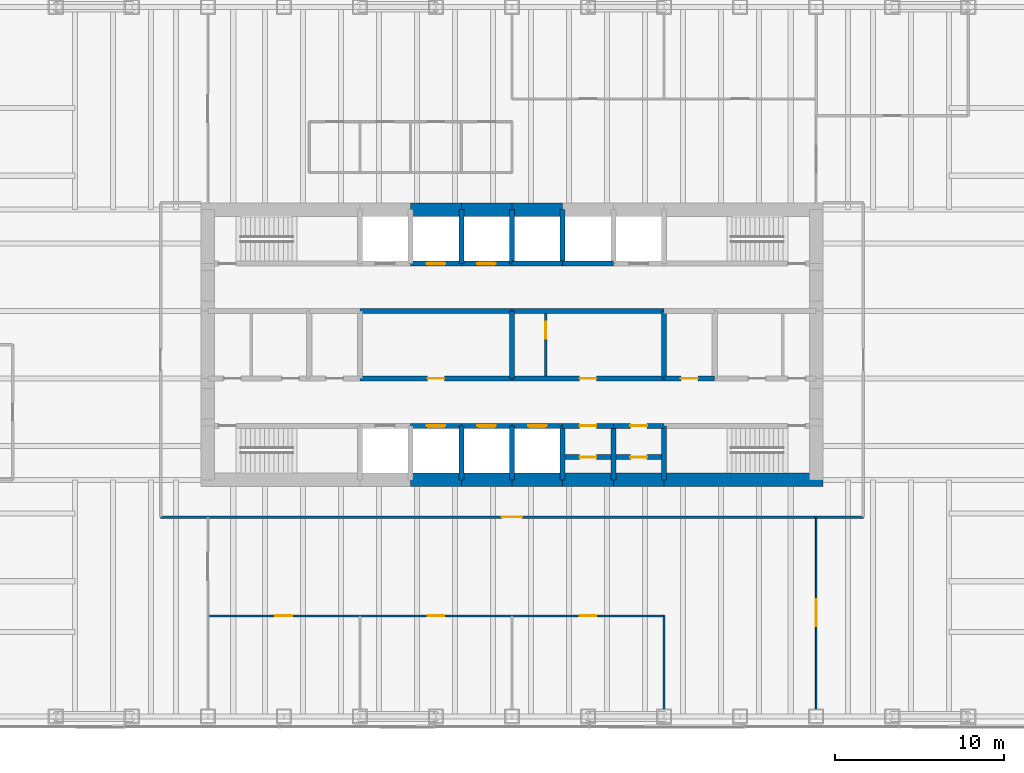
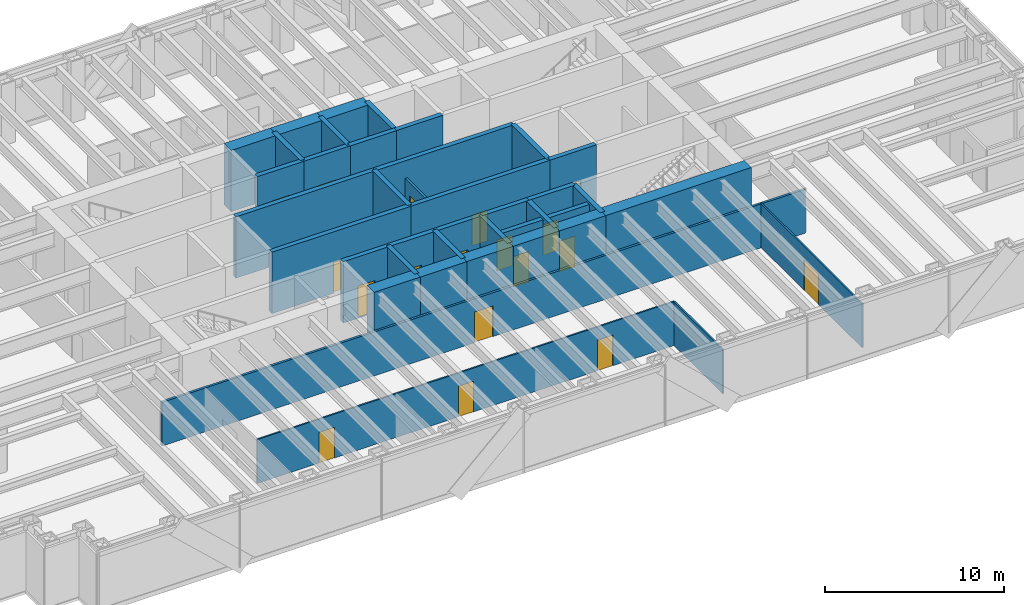
# One storey, part 16 of 19: 40 walls, 18 doors, 18 openings.
"""IFC4 building model written with IfcOpenShell, lengths in metres."""

from ifc_helpers import new_model, si_unit, direction, frame, frame_2d, origin, place, context, subcontext, project, spatial, rectangle, extrude, material, layer, layer_set, type_object, element, fill, save


model = new_model("IFC4")

# Units and contexts
model_context = context("Model", 3, precision=1e-05, world=origin(), true_north=direction((0.0, 1.0)))
body_context = subcontext(model_context, "Body", "Model", "MODEL_VIEW")
ifc_project = project(units=[si_unit("LENGTHUNIT", "METRE"), si_unit("AREAUNIT", "SQUARE_METRE"), si_unit("VOLUMEUNIT", "CUBIC_METRE"), si_unit("PLANEANGLEUNIT", "RADIAN"), si_unit("MASSUNIT", "GRAM", prefix="KILO")], contexts=[model_context])

# Site, building, storey
site_placement = place(None, origin())
site = spatial("IfcSite", under=ifc_project, at=site_placement, CompositionType="ELEMENT")
building_placement = place(site_placement, origin())
building = spatial("IfcBuilding", under=site, at=building_placement, Name="Rheinbord Bourse Tower", CompositionType="ELEMENT")
storey_placement = place(building_placement, frame((0.0, 0.0, 206.800048828125)))
storey = spatial("IfcBuildingStorey", under=building, at=storey_placement, Name="L46", CompositionType="ELEMENT", Elevation=206.800048828125)

# Wall, opening, door
ifc_material_1 = material(Name="Concrete C50/60", Category="concrete")
ifc_layer_1 = layer(ifc_material_1, 0.300048828125)
ifc_layer_set_1 = layer_set([ifc_layer_1], Name="CORE INNER WALL 300")
wall_type_1 = type_object("IfcWallType", Name="CORE INNER WALL 300", PredefinedType="SOLIDWALL", material=ifc_layer_set_1)
wall_1_placement = place(storey_placement, frame((30.0, 19.199951171875, 0.0), z_axis=(0.0, 0.0, 1.0), x_axis=(1.0, 0.0, 0.0)))
wall_1 = element("IfcWall", 1, at=wall_1_placement, inside=storey, type_object=wall_type_1, Name="Core wall A3 L46", PredefinedType="SOLIDWALL", context=body_context, shape_type="SweptSolid", body=[
    extrude(rectangle(XDim=3.0, YDim=0.300048828125, at=frame_2d((1.5, 0.0))), origin(), (0.0, 0.0, 1.0), 4.199951171875),
])
opening_1_placement = place(wall_1_placement, frame((0.949951171875, 0.0, 0.0)))
opening_1 = element("IfcOpeningElement", 2, at=opening_1_placement, cuts=wall_1, Name="Opening PC1", PredefinedType="OPENING", context=body_context, shape_type="SweptSolid", body=[
    extrude(rectangle(XDim=1.10009765625, YDim=2.199951171875, at=frame_2d((0.550048828125, 1.10009765625))), frame((0.0, 0.159912109375, 0.0), z_axis=(0.0, -1.0, 0.0), x_axis=(1.0, 0.0, 0.0)), (0.0, 0.0, 1.0), 0.320068359375),
])
ifc_material_2 = material(Name="Steel landing door", Category="steel")
door_type_1 = type_object("IfcDoorType", Name="LIFT LANDING DOOR 1100", OperationType="DOUBLE_DOOR_SLIDING", PredefinedType="USERDEFINED", material=ifc_material_2)
door_1_placement = place(opening_1_placement, origin())
door_1 = element("IfcDoor", 3, at=door_1_placement, inside=storey, type_object=door_type_1, Name="Lift landing door PC1 L46", ObjectType="LIFT LANDING DOOR", OperationType="DOUBLE_DOOR_SLIDING", OverallHeight=2.199951171875, OverallWidth=1.10009765625, PredefinedType="USERDEFINED", context=body_context, shape_type="SweptSolid", body=[
    extrude(rectangle(XDim=1.10009765625, YDim=2.199951171875, at=frame_2d((0.550048828125, 1.10009765625))), frame((0.0, 0.02490234375, 0.0), z_axis=(0.0, -1.0, 0.0), x_axis=(1.0, 0.0, 0.0)), (0.0, 0.0, 1.0), 0.050048828125),
])
fill(opening_1, door_1)

wall_2_placement = place(storey_placement, frame((33.0, 19.199951171875, 0.0), z_axis=(0.0, 0.0, 1.0), x_axis=(1.0, 0.0, 0.0)))
wall_2 = element("IfcWall", 4, at=wall_2_placement, inside=storey, type_object=wall_type_1, Name="Core wall A4 L46", PredefinedType="SOLIDWALL", context=body_context, shape_type="SweptSolid", body=[
    extrude(rectangle(XDim=3.0, YDim=0.300048828125, at=frame_2d((1.5, 0.0))), origin(), (0.0, 0.0, 1.0), 4.199951171875),
])
opening_2_placement = place(wall_2_placement, frame((0.949951171875, 0.0, 0.0)))
opening_2 = element("IfcOpeningElement", 5, at=opening_2_placement, cuts=wall_2, Name="Opening PC2", PredefinedType="OPENING", context=body_context, shape_type="SweptSolid", body=[
    extrude(rectangle(XDim=1.10009765625, YDim=2.199951171875, at=frame_2d((0.550048828125, 1.10009765625))), frame((0.0, 0.159912109375, 0.0), z_axis=(0.0, -1.0, 0.0), x_axis=(1.0, 0.0, 0.0)), (0.0, 0.0, 1.0), 0.320068359375),
])
door_2_placement = place(opening_2_placement, origin())
door_2 = element("IfcDoor", 6, at=door_2_placement, inside=storey, type_object=door_type_1, Name="Lift landing door PC2 L46", ObjectType="LIFT LANDING DOOR", OperationType="DOUBLE_DOOR_SLIDING", OverallHeight=2.199951171875, OverallWidth=1.10009765625, PredefinedType="USERDEFINED", context=body_context, shape_type="SweptSolid", body=[
    extrude(rectangle(XDim=1.10009765625, YDim=2.199951171875, at=frame_2d((0.550048828125, 1.10009765625))), frame((0.0, 0.02490234375, 0.0), z_axis=(0.0, -1.0, 0.0), x_axis=(1.0, 0.0, 0.0)), (0.0, 0.0, 1.0), 0.050048828125),
])
fill(opening_2, door_2)

wall_3_placement = place(storey_placement, frame((36.0, 19.199951171875, 0.0), z_axis=(0.0, 0.0, 1.0), x_axis=(1.0, 0.0, 0.0)))
wall_3 = element("IfcWall", 7, at=wall_3_placement, inside=storey, type_object=wall_type_1, Name="Core wall A5 L46", PredefinedType="SOLIDWALL", context=body_context, shape_type="SweptSolid", body=[
    extrude(rectangle(XDim=3.0, YDim=0.300048828125, at=frame_2d((1.5, 0.0))), origin(), (0.0, 0.0, 1.0), 4.199951171875),
])
opening_3_placement = place(wall_3_placement, frame((0.949951171875, 0.0, 0.0)))
opening_3 = element("IfcOpeningElement", 8, at=opening_3_placement, cuts=wall_3, Name="Opening PC3", PredefinedType="OPENING", context=body_context, shape_type="SweptSolid", body=[
    extrude(rectangle(XDim=1.10009765625, YDim=2.199951171875, at=frame_2d((0.550048828125, 1.10009765625))), frame((0.0, 0.159912109375, 0.0), z_axis=(0.0, -1.0, 0.0), x_axis=(1.0, 0.0, 0.0)), (0.0, 0.0, 1.0), 0.320068359375),
])
door_3_placement = place(opening_3_placement, origin())
door_3 = element("IfcDoor", 9, at=door_3_placement, inside=storey, type_object=door_type_1, Name="Lift landing door PC3 L46", ObjectType="LIFT LANDING DOOR", OperationType="DOUBLE_DOOR_SLIDING", OverallHeight=2.199951171875, OverallWidth=1.10009765625, PredefinedType="USERDEFINED", context=body_context, shape_type="SweptSolid", body=[
    extrude(rectangle(XDim=1.10009765625, YDim=2.199951171875, at=frame_2d((0.550048828125, 1.10009765625))), frame((0.0, 0.02490234375, 0.0), z_axis=(0.0, -1.0, 0.0), x_axis=(1.0, 0.0, 0.0)), (0.0, 0.0, 1.0), 0.050048828125),
])
fill(opening_3, door_3)

wall_4_placement = place(storey_placement, frame((39.0, 19.199951171875, 0.0), z_axis=(0.0, 0.0, 1.0), x_axis=(1.0, 0.0, 0.0)))
wall_4 = element("IfcWall", 10, at=wall_4_placement, inside=storey, type_object=wall_type_1, Name="Core wall A6 L46", PredefinedType="SOLIDWALL", context=body_context, shape_type="SweptSolid", body=[
    extrude(rectangle(XDim=3.0, YDim=0.300048828125, at=frame_2d((1.5, 0.0))), origin(), (0.0, 0.0, 1.0), 4.199951171875),
])
opening_4_placement = place(wall_4_placement, frame((1.0, 0.0, 0.0)))
opening_4 = element("IfcOpeningElement", 11, at=opening_4_placement, cuts=wall_4, Name="Opening 46R8", PredefinedType="OPENING", context=body_context, shape_type="SweptSolid", body=[
    extrude(rectangle(XDim=1.0, YDim=2.10009765625, at=frame_2d((0.5, 1.050048828125))), frame((0.0, 0.159912109375, 0.0), z_axis=(0.0, -1.0, 0.0), x_axis=(1.0, 0.0, 0.0)), (0.0, 0.0, 1.0), 0.320068359375),
])
ifc_material_3 = material(Name="Steel door", Category="steel")
door_type_2 = type_object("IfcDoorType", Name="DOOR 1000 EI30", OperationType="SINGLE_SWING_LEFT", PredefinedType="DOOR", material=ifc_material_3)
door_4_placement = place(opening_4_placement, origin())
door_4 = element("IfcDoor", 12, at=door_4_placement, inside=storey, type_object=door_type_2, Name="Supplies store door L46", OperationType="SINGLE_SWING_LEFT", OverallHeight=2.10009765625, OverallWidth=1.0, PredefinedType="DOOR", context=body_context, shape_type="SweptSolid", body=[
    extrude(rectangle(XDim=1.0, YDim=2.10009765625, at=frame_2d((0.5, 1.050048828125))), frame((0.0, 0.02490234375, 0.0), z_axis=(0.0, -1.0, 0.0), x_axis=(1.0, 0.0, 0.0)), (0.0, 0.0, 1.0), 0.050048828125),
])
fill(opening_4, door_4)

wall_5_placement = place(storey_placement, frame((42.0, 19.199951171875, 0.0), z_axis=(0.0, 0.0, 1.0), x_axis=(1.0, 0.0, 0.0)))
wall_5 = element("IfcWall", 13, at=wall_5_placement, inside=storey, type_object=wall_type_1, Name="Core wall A7 L46", PredefinedType="SOLIDWALL", context=body_context, shape_type="SweptSolid", body=[
    extrude(rectangle(XDim=3.0, YDim=0.300048828125, at=frame_2d((1.5, 0.0))), origin(), (0.0, 0.0, 1.0), 4.199951171875),
])
opening_5_placement = place(wall_5_placement, frame((1.0, 0.0, 0.0)))
opening_5 = element("IfcOpeningElement", 14, at=opening_5_placement, cuts=wall_5, Name="Opening 46R9", PredefinedType="OPENING", context=body_context, shape_type="SweptSolid", body=[
    extrude(rectangle(XDim=1.0, YDim=2.10009765625, at=frame_2d((0.5, 1.050048828125))), frame((0.0, 0.159912109375, 0.0), z_axis=(0.0, -1.0, 0.0), x_axis=(1.0, 0.0, 0.0)), (0.0, 0.0, 1.0), 0.320068359375),
])
door_5_placement = place(opening_5_placement, origin())
door_5 = element("IfcDoor", 15, at=door_5_placement, inside=storey, type_object=door_type_2, Name="IT room door L46", OperationType="SINGLE_SWING_LEFT", OverallHeight=2.10009765625, OverallWidth=1.0, PredefinedType="DOOR", context=body_context, shape_type="SweptSolid", body=[
    extrude(rectangle(XDim=1.0, YDim=2.10009765625, at=frame_2d((0.5, 1.050048828125))), frame((0.0, 0.02490234375, 0.0), z_axis=(0.0, -1.0, 0.0), x_axis=(1.0, 0.0, 0.0)), (0.0, 0.0, 1.0), 0.050048828125),
])
fill(opening_5, door_5)

wall_6_placement = place(storey_placement, frame((30.0, 28.800048828125, 0.0), z_axis=(0.0, 0.0, 1.0), x_axis=(1.0, 0.0, 0.0)))
wall_6 = element("IfcWall", 16, at=wall_6_placement, inside=storey, type_object=wall_type_1, Name="Core wall B3 L46", PredefinedType="SOLIDWALL", context=body_context, shape_type="SweptSolid", body=[
    extrude(rectangle(XDim=3.0, YDim=0.300048828125, at=frame_2d((1.5, 0.0))), origin(), (0.0, 0.0, 1.0), 4.199951171875),
])
opening_6_placement = place(wall_6_placement, frame((0.949951171875, 0.0, 0.0)))
opening_6 = element("IfcOpeningElement", 17, at=opening_6_placement, cuts=wall_6, Name="Opening PC4", PredefinedType="OPENING", context=body_context, shape_type="SweptSolid", body=[
    extrude(rectangle(XDim=1.10009765625, YDim=2.199951171875, at=frame_2d((0.550048828125, 1.10009765625))), frame((0.0, 0.159912109375, 0.0), z_axis=(0.0, -1.0, 0.0), x_axis=(1.0, 0.0, 0.0)), (0.0, 0.0, 1.0), 0.320068359375),
])
door_6_placement = place(opening_6_placement, origin())
door_6 = element("IfcDoor", 18, at=door_6_placement, inside=storey, type_object=door_type_1, Name="Lift landing door PC4 L46", ObjectType="LIFT LANDING DOOR", OperationType="DOUBLE_DOOR_SLIDING", OverallHeight=2.199951171875, OverallWidth=1.10009765625, PredefinedType="USERDEFINED", context=body_context, shape_type="SweptSolid", body=[
    extrude(rectangle(XDim=1.10009765625, YDim=2.199951171875, at=frame_2d((0.550048828125, 1.10009765625))), frame((0.0, 0.02490234375, 0.0), z_axis=(0.0, -1.0, 0.0), x_axis=(1.0, 0.0, 0.0)), (0.0, 0.0, 1.0), 0.050048828125),
])
fill(opening_6, door_6)

wall_7_placement = place(storey_placement, frame((33.0, 28.800048828125, 0.0), z_axis=(0.0, 0.0, 1.0), x_axis=(1.0, 0.0, 0.0)))
wall_7 = element("IfcWall", 19, at=wall_7_placement, inside=storey, type_object=wall_type_1, Name="Core wall B4 L46", PredefinedType="SOLIDWALL", context=body_context, shape_type="SweptSolid", body=[
    extrude(rectangle(XDim=3.0, YDim=0.300048828125, at=frame_2d((1.5, 0.0))), origin(), (0.0, 0.0, 1.0), 4.199951171875),
])
opening_7_placement = place(wall_7_placement, frame((0.949951171875, 0.0, 0.0)))
opening_7 = element("IfcOpeningElement", 20, at=opening_7_placement, cuts=wall_7, Name="Opening PC5", PredefinedType="OPENING", context=body_context, shape_type="SweptSolid", body=[
    extrude(rectangle(XDim=1.10009765625, YDim=2.199951171875, at=frame_2d((0.550048828125, 1.10009765625))), frame((0.0, 0.159912109375, 0.0), z_axis=(0.0, -1.0, 0.0), x_axis=(1.0, 0.0, 0.0)), (0.0, 0.0, 1.0), 0.320068359375),
])
door_7_placement = place(opening_7_placement, origin())
door_7 = element("IfcDoor", 21, at=door_7_placement, inside=storey, type_object=door_type_1, Name="Lift landing door PC5 L46", ObjectType="LIFT LANDING DOOR", OperationType="DOUBLE_DOOR_SLIDING", OverallHeight=2.199951171875, OverallWidth=1.10009765625, PredefinedType="USERDEFINED", context=body_context, shape_type="SweptSolid", body=[
    extrude(rectangle(XDim=1.10009765625, YDim=2.199951171875, at=frame_2d((0.550048828125, 1.10009765625))), frame((0.0, 0.02490234375, 0.0), z_axis=(0.0, -1.0, 0.0), x_axis=(1.0, 0.0, 0.0)), (0.0, 0.0, 1.0), 0.050048828125),
])
fill(opening_7, door_7)

# Walls
for number, where, z_axis, x_axis, name in (
    (22, (36.0, 28.800048828125, 0.0), (0.0, 0.0, 1.0), (1.0, 0.0, 0.0), "Core wall B5 L46"),
    (23, (39.0, 28.800048828125, 0.0), (0.0, 0.0, 1.0), (1.0, 0.0, 0.0), "Core wall B6 L46"),
):
    element("IfcWall", number, at=place(storey_placement, frame(where, z_axis=z_axis, x_axis=x_axis)), inside=storey, type_object=wall_type_1, Name=name, PredefinedType="SOLIDWALL", context=body_context, shape_type="SweptSolid", body=[
        extrude(rectangle(XDim=3.0, YDim=0.300048828125, at=frame_2d((1.5, 0.0))), origin(), (0.0, 0.0, 1.0), 4.199951171875),
    ])

# Wall, opening, door
wall_8_placement = place(storey_placement, frame((27.0, 22.0, 0.0), z_axis=(0.0, 0.0, 1.0), x_axis=(1.0, 0.0, 0.0)))
wall_8 = element("IfcWall", 24, at=wall_8_placement, inside=storey, type_object=wall_type_1, Name="Core wall C3 L46", PredefinedType="SOLIDWALL", context=body_context, shape_type="SweptSolid", body=[
    extrude(rectangle(XDim=9.0, YDim=0.300048828125, at=frame_2d((4.5, 0.0))), origin(), (0.0, 0.0, 1.0), 4.199951171875),
])
opening_8_placement = place(wall_8_placement, frame((4.0, 0.0, 0.0)))
opening_8 = element("IfcOpeningElement", 25, at=opening_8_placement, cuts=wall_8, Name="Opening 46R3", PredefinedType="OPENING", context=body_context, shape_type="SweptSolid", body=[
    extrude(rectangle(XDim=1.0, YDim=2.10009765625, at=frame_2d((0.5, 1.050048828125))), frame((0.0, 0.159912109375, 0.0), z_axis=(0.0, -1.0, 0.0), x_axis=(1.0, 0.0, 0.0)), (0.0, 0.0, 1.0), 0.320068359375),
])
door_8_placement = place(opening_8_placement, origin())
door_8 = element("IfcDoor", 26, at=door_8_placement, inside=storey, type_object=door_type_2, Name="Riser door L46", OperationType="SINGLE_SWING_LEFT", OverallHeight=2.10009765625, OverallWidth=1.0, PredefinedType="DOOR", context=body_context, shape_type="SweptSolid", body=[
    extrude(rectangle(XDim=1.0, YDim=2.10009765625, at=frame_2d((0.5, 1.050048828125))), frame((0.0, 0.02490234375, 0.0), z_axis=(0.0, -1.0, 0.0), x_axis=(1.0, 0.0, 0.0)), (0.0, 0.0, 1.0), 0.050048828125),
])
fill(opening_8, door_8)

wall_9_placement = place(storey_placement, frame((36.0, 22.0, 0.0), z_axis=(0.0, 0.0, 1.0), x_axis=(1.0, 0.0, 0.0)))
wall_9 = element("IfcWall", 27, at=wall_9_placement, inside=storey, type_object=wall_type_1, Name="Core wall C4 L46", PredefinedType="SOLIDWALL", context=body_context, shape_type="SweptSolid", body=[
    extrude(rectangle(XDim=9.0, YDim=0.300048828125, at=frame_2d((4.5, 0.0))), origin(), (0.0, 0.0, 1.0), 4.199951171875),
])
opening_9_placement = place(wall_9_placement, frame((4.0, 0.0, 0.0)))
opening_9 = element("IfcOpeningElement", 28, at=opening_9_placement, cuts=wall_9, Name="Opening 46R4", PredefinedType="OPENING", context=body_context, shape_type="SweptSolid", body=[
    extrude(rectangle(XDim=1.0, YDim=2.10009765625, at=frame_2d((0.5, 1.050048828125))), frame((0.0, 0.159912109375, 0.0), z_axis=(0.0, -1.0, 0.0), x_axis=(1.0, 0.0, 0.0)), (0.0, 0.0, 1.0), 0.320068359375),
])
door_9_placement = place(opening_9_placement, origin())
door_9 = element("IfcDoor", 29, at=door_9_placement, inside=storey, type_object=door_type_2, Name="Staff locker room door L46", OperationType="SINGLE_SWING_LEFT", OverallHeight=2.10009765625, OverallWidth=1.0, PredefinedType="DOOR", context=body_context, shape_type="SweptSolid", body=[
    extrude(rectangle(XDim=1.0, YDim=2.10009765625, at=frame_2d((0.5, 1.050048828125))), frame((0.0, 0.02490234375, 0.0), z_axis=(0.0, -1.0, 0.0), x_axis=(1.0, 0.0, 0.0)), (0.0, 0.0, 1.0), 0.050048828125),
])
fill(opening_9, door_9)

wall_10_placement = place(storey_placement, frame((45.0, 22.0, 0.0), z_axis=(0.0, 0.0, 1.0), x_axis=(1.0, 0.0, 0.0)))
wall_10 = element("IfcWall", 30, at=wall_10_placement, inside=storey, type_object=wall_type_1, Name="Core wall C5 L46", PredefinedType="SOLIDWALL", context=body_context, shape_type="SweptSolid", body=[
    extrude(rectangle(XDim=3.0, YDim=0.300048828125, at=frame_2d((1.5, 0.0))), origin(), (0.0, 0.0, 1.0), 4.199951171875),
])
opening_10_placement = place(wall_10_placement, frame((1.0, 0.0, 0.0)))
opening_10 = element("IfcOpeningElement", 31, at=opening_10_placement, cuts=wall_10, Name="Opening 46R5", PredefinedType="OPENING", context=body_context, shape_type="SweptSolid", body=[
    extrude(rectangle(XDim=1.0, YDim=2.10009765625, at=frame_2d((0.5, 1.050048828125))), frame((0.0, 0.159912109375, 0.0), z_axis=(0.0, -1.0, 0.0), x_axis=(1.0, 0.0, 0.0)), (0.0, 0.0, 1.0), 0.320068359375),
])
ifc_material_4 = material(Name="Timber door", Category="wood")
door_type_3 = type_object("IfcDoorType", Name="DOOR 1000 WC", OperationType="SINGLE_SWING_LEFT", PredefinedType="DOOR", material=ifc_material_4)
door_10_placement = place(opening_10_placement, origin())
door_10 = element("IfcDoor", 32, at=door_10_placement, inside=storey, type_object=door_type_3, Name="Accessible WC door L46", OperationType="SINGLE_SWING_LEFT", OverallHeight=2.10009765625, OverallWidth=1.0, PredefinedType="DOOR", context=body_context, shape_type="SweptSolid", body=[
    extrude(rectangle(XDim=1.0, YDim=2.10009765625, at=frame_2d((0.5, 1.050048828125))), frame((0.0, 0.02490234375, 0.0), z_axis=(0.0, -1.0, 0.0), x_axis=(1.0, 0.0, 0.0)), (0.0, 0.0, 1.0), 0.050048828125),
])
fill(opening_10, door_10)

# Walls
for number, where, z_axis, x_axis, name in (
    (33, (27.0, 26.0, 0.0), (0.0, 0.0, 1.0), (1.0, 0.0, 0.0), "Core wall D3 L46"),
    (34, (36.0, 26.0, 0.0), (0.0, 0.0, 1.0), (1.0, 0.0, 0.0), "Core wall D4 L46"),
):
    element("IfcWall", number, at=place(storey_placement, frame(where, z_axis=z_axis, x_axis=x_axis)), inside=storey, type_object=wall_type_1, Name=name, PredefinedType="SOLIDWALL", context=body_context, shape_type="SweptSolid", body=[
        extrude(rectangle(XDim=9.0, YDim=0.300048828125, at=frame_2d((4.5, 0.0))), origin(), (0.0, 0.0, 1.0), 4.199951171875),
    ])
for number, where, z_axis, x_axis, name in (
    (35, (33.0, 16.0, 0.0), (0.0, 0.0, 1.0), (0.0, 1.0, 0.0), "Core wall SX33 L46"),
    (36, (33.0, 28.800048828125, 0.0), (0.0, 0.0, 1.0), (0.0, 1.0, 0.0), "Core wall NX33 L46"),
    (37, (36.0, 16.0, 0.0), (0.0, 0.0, 1.0), (0.0, 1.0, 0.0), "Core wall SX36 L46"),
    (38, (36.0, 28.800048828125, 0.0), (0.0, 0.0, 1.0), (0.0, 1.0, 0.0), "Core wall NX36 L46"),
    (39, (39.0, 16.0, 0.0), (0.0, 0.0, 1.0), (0.0, 1.0, 0.0), "Core wall SX39 L46"),
    (40, (39.0, 28.800048828125, 0.0), (0.0, 0.0, 1.0), (0.0, 1.0, 0.0), "Core wall NX39 L46"),
    (41, (42.0, 16.0, 0.0), (0.0, 0.0, 1.0), (0.0, 1.0, 0.0), "Core wall SX42 L46"),
    (42, (45.0, 16.0, 0.0), (0.0, 0.0, 1.0), (0.0, 1.0, 0.0), "Core wall SX45 L46"),
):
    element("IfcWall", number, at=place(storey_placement, frame(where, z_axis=z_axis, x_axis=x_axis)), inside=storey, type_object=wall_type_1, Name=name, PredefinedType="SOLIDWALL", context=body_context, shape_type="SweptSolid", body=[
        extrude(rectangle(XDim=3.199951171875, YDim=0.300048828125, at=frame_2d((1.60009765625, 0.0))), origin(), (0.0, 0.0, 1.0), 4.199951171875),
    ])
for number, where, z_axis, x_axis, name in (
    (43, (36.0, 22.0, 0.0), (0.0, 0.0, 1.0), (0.0, 1.0, 0.0), "Core wall MX36 L46"),
    (44, (45.0, 22.0, 0.0), (0.0, 0.0, 1.0), (0.0, 1.0, 0.0), "Core wall MX45 L46"),
):
    element("IfcWall", number, at=place(storey_placement, frame(where, z_axis=z_axis, x_axis=x_axis)), inside=storey, type_object=wall_type_1, Name=name, PredefinedType="SOLIDWALL", context=body_context, shape_type="SweptSolid", body=[
        extrude(rectangle(XDim=4.0, YDim=0.300048828125, at=frame_2d((2.0, 0.0))), origin(), (0.0, 0.0, 1.0), 4.199951171875),
    ])

# Wall, opening, door
wall_11_placement = place(storey_placement, frame((39.14990234375, 17.35009765625, 0.0), z_axis=(0.0, 0.0, 1.0), x_axis=(1.0, 0.0, 0.0)))
wall_11 = element("IfcWall", 45, at=wall_11_placement, inside=storey, type_object=wall_type_1, Name="Core riser wall L46-6", PredefinedType="SOLIDWALL", context=body_context, shape_type="SweptSolid", body=[
    extrude(rectangle(XDim=2.7001953125, YDim=0.300048828125, at=frame_2d((1.35009765625, 0.0))), origin(), (0.0, 0.0, 1.0), 4.0400390625),
])
opening_11_placement = place(wall_11_placement, frame((0.85009765625, 0.0, 0.0)))
opening_11 = element("IfcOpeningElement", 46, at=opening_11_placement, cuts=wall_11, Name="Opening 46R12", PredefinedType="OPENING", context=body_context, shape_type="SweptSolid", body=[
    extrude(rectangle(XDim=1.0, YDim=2.10009765625, at=frame_2d((0.5, 1.050048828125))), frame((0.0, 0.159912109375, 0.0), z_axis=(0.0, -1.0, 0.0), x_axis=(1.0, 0.0, 0.0)), (0.0, 0.0, 1.0), 0.320068359375),
])
door_11_placement = place(opening_11_placement, origin())
door_11 = element("IfcDoor", 47, at=door_11_placement, inside=storey, type_object=door_type_2, Name="Comms riser door L46", OperationType="SINGLE_SWING_LEFT", OverallHeight=2.10009765625, OverallWidth=1.0, PredefinedType="DOOR", context=body_context, shape_type="SweptSolid", body=[
    extrude(rectangle(XDim=1.0, YDim=2.10009765625, at=frame_2d((0.5, 1.050048828125))), frame((0.0, 0.02490234375, 0.0), z_axis=(0.0, -1.0, 0.0), x_axis=(1.0, 0.0, 0.0)), (0.0, 0.0, 1.0), 0.050048828125),
])
fill(opening_11, door_11)

wall_12_placement = place(storey_placement, frame((42.14990234375, 17.35009765625, 0.0), z_axis=(0.0, 0.0, 1.0), x_axis=(1.0, 0.0, 0.0)))
wall_12 = element("IfcWall", 48, at=wall_12_placement, inside=storey, type_object=wall_type_1, Name="Core riser wall L46-7", PredefinedType="SOLIDWALL", context=body_context, shape_type="SweptSolid", body=[
    extrude(rectangle(XDim=2.7001953125, YDim=0.300048828125, at=frame_2d((1.35009765625, 0.0))), origin(), (0.0, 0.0, 1.0), 4.0400390625),
])
opening_12_placement = place(wall_12_placement, frame((0.85009765625, 0.0, 0.0)))
opening_12 = element("IfcOpeningElement", 49, at=opening_12_placement, cuts=wall_12, Name="Opening 46R13", PredefinedType="OPENING", context=body_context, shape_type="SweptSolid", body=[
    extrude(rectangle(XDim=1.0, YDim=2.10009765625, at=frame_2d((0.5, 1.050048828125))), frame((0.0, 0.159912109375, 0.0), z_axis=(0.0, -1.0, 0.0), x_axis=(1.0, 0.0, 0.0)), (0.0, 0.0, 1.0), 0.320068359375),
])
door_12_placement = place(opening_12_placement, origin())
door_12 = element("IfcDoor", 50, at=door_12_placement, inside=storey, type_object=door_type_2, Name="Electrical riser door L46", OperationType="SINGLE_SWING_LEFT", OverallHeight=2.10009765625, OverallWidth=1.0, PredefinedType="DOOR", context=body_context, shape_type="SweptSolid", body=[
    extrude(rectangle(XDim=1.0, YDim=2.10009765625, at=frame_2d((0.5, 1.050048828125))), frame((0.0, 0.02490234375, 0.0), z_axis=(0.0, -1.0, 0.0), x_axis=(1.0, 0.0, 0.0)), (0.0, 0.0, 1.0), 0.050048828125),
])
fill(opening_12, door_12)

ifc_material_5 = material(Name="Gypsum board fire partition", Category="gypsum board")
ifc_layer_2 = layer(ifc_material_5, 0.14990234375)
ifc_layer_set_2 = layer_set([ifc_layer_2], Name="CORE PARTITION 150 EI30")
wall_type_2 = type_object("IfcWallType", Name="CORE PARTITION 150 EI30", PredefinedType="PARTITIONING", material=ifc_layer_set_2)
wall_13_placement = place(storey_placement, frame((38.0, 22.14990234375, 0.0), z_axis=(0.0, 0.0, 1.0), x_axis=(0.0, 1.0, 0.0)))
wall_13 = element("IfcWall", 51, at=wall_13_placement, inside=storey, type_object=wall_type_2, Name="Core partition L46-1", PredefinedType="PARTITIONING", context=body_context, shape_type="SweptSolid", body=[
    extrude(rectangle(XDim=3.7001953125, YDim=0.14990234375, at=frame_2d((1.85009765625, 0.0))), origin(), (0.0, 0.0, 1.0), 3.0),
])
opening_13_placement = place(wall_13_placement, frame((2.199951171875, 0.0, 0.0)))
opening_13 = element("IfcOpeningElement", 52, at=opening_13_placement, cuts=wall_13, Name="Opening 46R7", PredefinedType="OPENING", context=body_context, shape_type="SweptSolid", body=[
    extrude(rectangle(XDim=1.0, YDim=2.10009765625, at=frame_2d((0.5, 1.050048828125))), frame((0.0, 0.0849609375, 0.0), z_axis=(0.0, -1.0, 0.0), x_axis=(1.0, 0.0, 0.0)), (0.0, 0.0, 1.0), 0.169921875),
])
door_13_placement = place(opening_13_placement, origin())
door_13 = element("IfcDoor", 53, at=door_13_placement, inside=storey, type_object=door_type_2, Name="Staff shower door L46", OperationType="SINGLE_SWING_RIGHT", OverallHeight=2.10009765625, OverallWidth=1.0, PredefinedType="DOOR", context=body_context, shape_type="SweptSolid", body=[
    extrude(rectangle(XDim=1.0, YDim=2.10009765625, at=frame_2d((0.5, 1.050048828125))), frame((0.0, 0.02490234375, 0.0), z_axis=(0.0, -1.0, 0.0), x_axis=(1.0, 0.0, 0.0)), (0.0, 0.0, 1.0), 0.050048828125),
])
fill(opening_13, door_13)

# Walls
ifc_material_6 = material(Name="Concrete C50/60", Category="concrete")
ifc_layer_3 = layer(ifc_material_6, 0.800048828125)
ifc_layer_set_3 = layer_set([ifc_layer_3], Name="CORE WALL 800")
wall_type_3 = type_object("IfcWallType", Name="CORE WALL 800", PredefinedType="SHEAR", material=ifc_layer_set_3)
for number, where, z_axis, x_axis, name in (
    (54, (30.0, 16.0, 0.0), (0.0, 0.0, 1.0), (1.0, 0.0, 0.0), "Core wall S3 L46"),
    (55, (33.0, 16.0, 0.0), (0.0, 0.0, 1.0), (1.0, 0.0, 0.0), "Core wall S4 L46"),
    (56, (36.0, 16.0, 0.0), (0.0, 0.0, 1.0), (1.0, 0.0, 0.0), "Core wall S5 L46"),
    (57, (39.0, 16.0, 0.0), (0.0, 0.0, 1.0), (1.0, 0.0, 0.0), "Core wall S6 L46"),
    (58, (42.0, 16.0, 0.0), (0.0, 0.0, 1.0), (1.0, 0.0, 0.0), "Core wall S7 L46"),
):
    element("IfcWall", number, at=place(storey_placement, frame(where, z_axis=z_axis, x_axis=x_axis)), inside=storey, type_object=wall_type_3, Name=name, PredefinedType="SHEAR", context=body_context, shape_type="SweptSolid", body=[
        extrude(rectangle(XDim=3.0, YDim=0.800048828125, at=frame_2d((1.5, 0.0))), origin(), (0.0, 0.0, 1.0), 4.199951171875),
    ])
wall_14_placement = place(storey_placement, frame((45.0, 16.0, 0.0), z_axis=(0.0, 0.0, 1.0), x_axis=(1.0, 0.0, 0.0)))
element("IfcWall", 59, at=wall_14_placement, inside=storey, type_object=wall_type_3, Name="Core wall S8 L46", PredefinedType="SHEAR", context=body_context, shape_type="SweptSolid", body=[
    extrude(rectangle(XDim=9.39990234375, YDim=0.800048828125, at=frame_2d((4.699951171875, 0.0))), origin(), (0.0, 0.0, 1.0), 4.199951171875),
])
for number, where, z_axis, x_axis, name in (
    (60, (39.0, 32.0, 0.0), (0.0, 0.0, 1.0), (-1.0, 0.0, 0.0), "Core wall N4 L46"),
    (61, (36.0, 32.0, 0.0), (0.0, 0.0, 1.0), (-1.0, 0.0, 0.0), "Core wall N5 L46"),
    (62, (33.0, 32.0, 0.0), (0.0, 0.0, 1.0), (-1.0, 0.0, 0.0), "Core wall N6 L46"),
):
    element("IfcWall", number, at=place(storey_placement, frame(where, z_axis=z_axis, x_axis=x_axis)), inside=storey, type_object=wall_type_3, Name=name, PredefinedType="SHEAR", context=body_context, shape_type="SweptSolid", body=[
        extrude(rectangle(XDim=3.0, YDim=0.800048828125, at=frame_2d((1.5, 0.0))), origin(), (0.0, 0.0, 1.0), 4.199951171875),
    ])

# Wall, opening, door
ifc_material_7 = material(Name="Gypsum board corridor partition", Category="gypsum board")
ifc_layer_4 = layer(ifc_material_7, 0.14990234375)
ifc_layer_set_4 = layer_set([ifc_layer_4], Name="CORRIDOR PARTITION 150 EI30")
wall_type_4 = type_object("IfcWallType", Name="CORRIDOR PARTITION 150 EI30", PredefinedType="PARTITIONING", material=ifc_layer_set_4)
wall_15_placement = place(storey_placement, frame((15.199951171875, 13.800048828125, 0.0), z_axis=(0.0, 0.0, 1.0), x_axis=(1.0, 0.0, 0.0)))
wall_15 = element("IfcWall", 63, at=wall_15_placement, inside=storey, type_object=wall_type_4, Name="Partition L46-03", PredefinedType="PARTITIONING", context=body_context, shape_type="SweptSolid", body=[
    extrude(rectangle(XDim=41.60009765625, YDim=0.14990234375, at=frame_2d((20.800048828125, 0.0))), origin(), (0.0, 0.0, 1.0), 3.0),
])
opening_14_placement = place(wall_15_placement, frame((20.199951171875, 0.0, 0.0)))
opening_14 = element("IfcOpeningElement", 64, at=opening_14_placement, cuts=wall_15, Name="Opening 46D21", PredefinedType="OPENING", context=body_context, shape_type="SweptSolid", body=[
    extrude(rectangle(XDim=1.199951171875, YDim=2.10009765625, at=frame_2d((0.60009765625, 1.050048828125))), frame((0.0, 0.0849609375, 0.0), z_axis=(0.0, -1.0, 0.0), x_axis=(1.0, 0.0, 0.0)), (0.0, 0.0, 1.0), 0.169921875),
])
ifc_material_8 = material(Name="Timber fire door", Category="wood")
door_type_4 = type_object("IfcDoorType", Name="SUITE ENTRANCE DOOR 1200 EI30", OperationType="SINGLE_SWING_LEFT", PredefinedType="DOOR", material=ifc_material_8)
door_14_placement = place(opening_14_placement, origin())
door_14 = element("IfcDoor", 65, at=door_14_placement, inside=storey, type_object=door_type_4, Name="Suite entrance 3 door L46", OperationType="SINGLE_SWING_RIGHT", OverallHeight=2.10009765625, OverallWidth=1.199951171875, PredefinedType="DOOR", context=body_context, shape_type="SweptSolid", body=[
    extrude(rectangle(XDim=1.199951171875, YDim=2.10009765625, at=frame_2d((0.60009765625, 1.050048828125))), frame((0.0, 0.02490234375, 0.0), z_axis=(0.0, -1.0, 0.0), x_axis=(1.0, 0.0, 0.0)), (0.0, 0.0, 1.0), 0.050048828125),
])
fill(opening_14, door_14)

# Wall, openings, doors
ifc_material_9 = material(Name="Toughened laminated glass partition", Category="glass")
ifc_layer_5 = layer(ifc_material_9, 0.10009765625)
ifc_layer_set_5 = layer_set([ifc_layer_5], Name="GLAZED PARTITION 100")
wall_type_5 = type_object("IfcWallType", Name="GLAZED PARTITION 100", PredefinedType="PARTITIONING", material=ifc_layer_set_5)
wall_16_placement = place(storey_placement, frame((18.0, 7.949951171875, 0.0), z_axis=(0.0, 0.0, 1.0), x_axis=(1.0, 0.0, 0.0)))
wall_16 = element("IfcWall", 66, at=wall_16_placement, inside=storey, type_object=wall_type_5, Name="Partition L46-01", PredefinedType="PARTITIONING", context=body_context, shape_type="SweptSolid", body=[
    extrude(rectangle(XDim=27.0, YDim=0.10009765625, at=frame_2d((13.5, 0.0))), origin(), (0.0, 0.0, 1.0), 3.0),
])
opening_15_placement = place(wall_16_placement, frame((4.0, 0.0, 0.0)))
opening_15 = element("IfcOpeningElement", 67, at=opening_15_placement, cuts=wall_16, Name="Opening 46D01", PredefinedType="OPENING", context=body_context, shape_type="SweptSolid", body=[
    extrude(rectangle(XDim=1.0, YDim=2.10009765625, at=frame_2d((0.5, 1.050048828125))), frame((0.0, 0.06005859375, 0.0), z_axis=(0.0, -1.0, 0.0), x_axis=(1.0, 0.0, 0.0)), (0.0, 0.0, 1.0), 0.1201171875),
])
opening_16_placement = place(wall_16_placement, frame((13.0, 0.0, 0.0)))
opening_16 = element("IfcOpeningElement", 68, at=opening_16_placement, cuts=wall_16, Name="Opening 46D02", PredefinedType="OPENING", context=body_context, shape_type="SweptSolid", body=[
    extrude(rectangle(XDim=1.0, YDim=2.10009765625, at=frame_2d((0.5, 1.050048828125))), frame((0.0, 0.06005859375, 0.0), z_axis=(0.0, -1.0, 0.0), x_axis=(1.0, 0.0, 0.0)), (0.0, 0.0, 1.0), 0.1201171875),
])
opening_17_placement = place(wall_16_placement, frame((22.0, 0.0, 0.0)))
opening_17 = element("IfcOpeningElement", 69, at=opening_17_placement, cuts=wall_16, Name="Opening 46D03", PredefinedType="OPENING", context=body_context, shape_type="SweptSolid", body=[
    extrude(rectangle(XDim=1.0, YDim=2.10009765625, at=frame_2d((0.5, 1.050048828125))), frame((0.0, 0.06005859375, 0.0), z_axis=(0.0, -1.0, 0.0), x_axis=(1.0, 0.0, 0.0)), (0.0, 0.0, 1.0), 0.1201171875),
])
ifc_material_10 = material(Name="Timber door", Category="wood")
door_type_5 = type_object("IfcDoorType", Name="ROOM DOOR 1000", OperationType="SINGLE_SWING_LEFT", PredefinedType="DOOR", material=ifc_material_10)
door_15_placement = place(opening_15_placement, origin())
door_15 = element("IfcDoor", 70, at=door_15_placement, inside=storey, type_object=door_type_5, Name="Team room door L46", OperationType="SINGLE_SWING_LEFT", OverallHeight=2.10009765625, OverallWidth=1.0, PredefinedType="DOOR", context=body_context, shape_type="SweptSolid", body=[
    extrude(rectangle(XDim=1.0, YDim=2.10009765625, at=frame_2d((0.5, 1.050048828125))), frame((0.0, 0.02490234375, 0.0), z_axis=(0.0, -1.0, 0.0), x_axis=(1.0, 0.0, 0.0)), (0.0, 0.0, 1.0), 0.050048828125),
])
fill(opening_15, door_15)
door_16_placement = place(opening_16_placement, origin())
door_16 = element("IfcDoor", 71, at=door_16_placement, inside=storey, type_object=door_type_5, Name="Team room door L46", OperationType="SINGLE_SWING_LEFT", OverallHeight=2.10009765625, OverallWidth=1.0, PredefinedType="DOOR", context=body_context, shape_type="SweptSolid", body=[
    extrude(rectangle(XDim=1.0, YDim=2.10009765625, at=frame_2d((0.5, 1.050048828125))), frame((0.0, 0.02490234375, 0.0), z_axis=(0.0, -1.0, 0.0), x_axis=(1.0, 0.0, 0.0)), (0.0, 0.0, 1.0), 0.050048828125),
])
fill(opening_16, door_16)
door_17_placement = place(opening_17_placement, origin())
door_17 = element("IfcDoor", 72, at=door_17_placement, inside=storey, type_object=door_type_5, Name="Team room door L46", OperationType="SINGLE_SWING_RIGHT", OverallHeight=2.10009765625, OverallWidth=1.0, PredefinedType="DOOR", context=body_context, shape_type="SweptSolid", body=[
    extrude(rectangle(XDim=1.0, YDim=2.10009765625, at=frame_2d((0.5, 1.050048828125))), frame((0.0, 0.02490234375, 0.0), z_axis=(0.0, -1.0, 0.0), x_axis=(1.0, 0.0, 0.0)), (0.0, 0.0, 1.0), 0.050048828125),
])
fill(opening_17, door_17)

# Wall
wall_17_placement = place(storey_placement, frame((45.0, 2.449951171875, 0.0), z_axis=(0.0, 0.0, 1.0), x_axis=(0.0, 1.0, 0.0)))
element("IfcWall", 73, at=wall_17_placement, inside=storey, type_object=wall_type_5, Name="Partition L46-29", PredefinedType="PARTITIONING", context=body_context, shape_type="SweptSolid", body=[
    extrude(rectangle(XDim=5.5, YDim=0.10009765625, at=frame_2d((2.75, 0.0))), origin(), (0.0, 0.0, 1.0), 3.0),
])

# Wall, opening, door
wall_18_placement = place(storey_placement, frame((54.0, 2.449951171875, 0.0), z_axis=(0.0, 0.0, 1.0), x_axis=(0.0, 1.0, 0.0)))
wall_18 = element("IfcWall", 74, at=wall_18_placement, inside=storey, type_object=wall_type_5, Name="Partition L46-31", PredefinedType="PARTITIONING", context=body_context, shape_type="SweptSolid", body=[
    extrude(rectangle(XDim=11.35009765625, YDim=0.10009765625, at=frame_2d((5.675048828125, 0.0))), origin(), (0.0, 0.0, 1.0), 3.0),
])
opening_18_placement = place(wall_18_placement, frame((4.875, 0.0, 0.0)))
opening_18 = element("IfcOpeningElement", 75, at=opening_18_placement, cuts=wall_18, Name="Opening 46D17", PredefinedType="OPENING", context=body_context, shape_type="SweptSolid", body=[
    extrude(rectangle(XDim=1.60009765625, YDim=2.10009765625, at=frame_2d((0.800048828125, 1.050048828125))), frame((0.0, 0.06005859375, 0.0), z_axis=(0.0, -1.0, 0.0), x_axis=(1.0, 0.0, 0.0)), (0.0, 0.0, 1.0), 0.1201171875),
])
ifc_material_11 = material(Name="Timber door", Category="wood")
door_type_6 = type_object("IfcDoorType", Name="DOUBLE ROOM DOOR 1600", OperationType="DOUBLE_DOOR_DOUBLE_SWING", PredefinedType="DOOR", material=ifc_material_11)
door_18_placement = place(opening_18_placement, origin())
door_18 = element("IfcDoor", 76, at=door_18_placement, inside=storey, type_object=door_type_6, Name="Open area door L46", OperationType="SINGLE_SWING_LEFT", OverallHeight=2.10009765625, OverallWidth=1.60009765625, PredefinedType="DOOR", context=body_context, shape_type="SweptSolid", body=[
    extrude(rectangle(XDim=1.60009765625, YDim=2.10009765625, at=frame_2d((0.800048828125, 1.050048828125))), frame((0.0, 0.02490234375, 0.0), z_axis=(0.0, -1.0, 0.0), x_axis=(1.0, 0.0, 0.0)), (0.0, 0.0, 1.0), 0.050048828125),
])
fill(opening_18, door_18)

save(model, "model.ifc")
